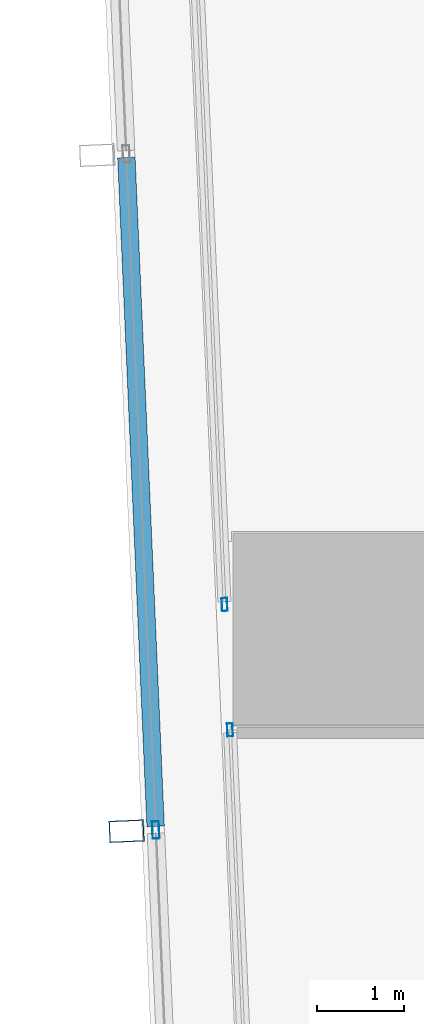
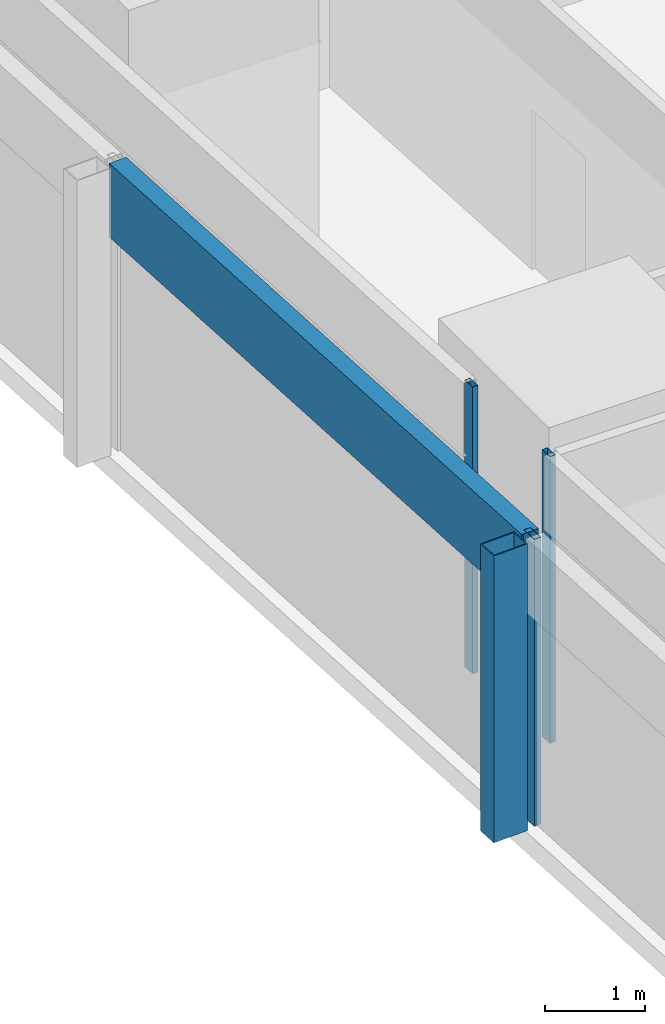
# One storey, part 4 of 42: 5 members, 3 elements without a shape of their own.
"""IFC4 building model written with IfcOpenShell, lengths in metres."""

from ifc_helpers import new_model, si_unit, direction, frame, origin, origin_2d, place, context, subcontext, project, spatial, hollow_rectangle, extrude, material, material_profile, profile_set, type_object, element, aggregate, save


model = new_model("IFC4")

# Units and contexts
model_context = context("Model", 3, precision=1e-05, world=origin(), true_north=direction((0.0, 1.0)))
body_context = subcontext(model_context, "Body", "Model", "MODEL_VIEW")
ifc_project = project(units=[si_unit("LENGTHUNIT", "METRE"), si_unit("AREAUNIT", "SQUARE_METRE"), si_unit("VOLUMEUNIT", "CUBIC_METRE"), si_unit("PLANEANGLEUNIT", "RADIAN"), si_unit("MASSUNIT", "GRAM", prefix="KILO")], contexts=[model_context])

# Site, building, storey
site_placement = place(None, origin())
site = spatial("IfcSite", under=ifc_project, at=site_placement, CompositionType="ELEMENT")
building_placement = place(site_placement, origin())
building = spatial("IfcBuilding", under=site, at=building_placement, Name="Rekha Terrace Tower", CompositionType="ELEMENT")
storey_placement = place(building_placement, frame((0.0, 0.0, 40.39990234375)))
storey = spatial("IfcBuildingStorey", under=building, at=storey_placement, Name="L09", CompositionType="ELEMENT", Elevation=40.39990234375)

# Curtain wall, member
ifc_material_1 = material(Name="Aluminium framing", Category="aluminium")
curtain_wall_type_1 = type_object("IfcCurtainWallType", Name="CW2 double skin outer glazing", PredefinedType="USERDEFINED", material=ifc_material_1)
curtain_wall_1_placement = place(storey_placement, origin())
curtain_wall_1 = element("IfcCurtainWall", 1, at=curtain_wall_1_placement, inside=storey, type_object=curtain_wall_type_1, Name="CW2 double skin outer glazing", ObjectType="DOUBLE SKIN OUTER GLAZING", PredefinedType="USERDEFINED")
ifc_material_2 = material(Name="Steel S355 with fluorocarbon finish", Category="steel")
ifc_material_profile_1 = material_profile(ifc_material_2, hollow_rectangle(XDim=0.25, YDim=0.39990234375, WallThickness=0.012451171875, at=origin_2d()), Name="RHS400x250x12.5")
ifc_profile_set_1 = profile_set([ifc_material_profile_1], Name="Steel S355 with fluorocarbon finish")
member_type_1 = type_object("IfcMemberType", Name="BL1 facade blade RHS 400 x 250", PredefinedType="USERDEFINED", material=ifc_profile_set_1)
member_1_placement = place(storey_placement, frame((6.080078125, 14.482421875, 0.0), z_axis=(0.0, 0.0, 1.0), x_axis=(0.04368215933, -0.999045478923, 0.0)))
member_1 = element("IfcMember", 2, at=member_1_placement, type_object=member_type_1, Name="Facade blade", ObjectType="FACADE BLADE", PredefinedType="USERDEFINED", context=body_context, shape_type="SweptSolid", body=[
    extrude(hollow_rectangle(XDim=0.25, YDim=0.39990234375, WallThickness=0.012451171875, at=origin_2d()), origin(), (0.0, 0.0, 1.0), 3.5),
])

curtain_wall_type_2 = type_object("IfcCurtainWallType", Name="CW1 double skin inner glazing", PredefinedType="USERDEFINED", material=ifc_material_1)
curtain_wall_2_placement = place(storey_placement, origin())
curtain_wall_2 = element("IfcCurtainWall", 3, at=curtain_wall_2_placement, inside=storey, type_object=curtain_wall_type_2, Name="CW1 double skin inner glazing", ObjectType="DOUBLE SKIN INNER GLAZING", PredefinedType="USERDEFINED")
ifc_material_3 = material(Name="Aluminium mullion section", Category="aluminium")
ifc_material_profile_2 = material_profile(ifc_material_3, hollow_rectangle(XDim=0.06494140625, YDim=0.14990234375, WallThickness=0.00390625, at=origin_2d()), Name="AL RHS 65x150")
ifc_profile_set_2 = profile_set([ifc_material_profile_2], Name="Aluminium mullion section")
member_type_2 = type_object("IfcMemberType", Name="CW1 mullion RHS 65 x 150", PredefinedType="MULLION", material=ifc_profile_set_2)
member_2_placement = place(storey_placement, frame((7.202880859375, 17.07958984375, 0.0), z_axis=(0.0, 0.0, 1.0), x_axis=(0.999045462133, 0.043682543337, 0.0)))
member_2 = element("IfcMember", 4, at=member_2_placement, type_object=member_type_2, Name="CW1 mullion 4", PredefinedType="MULLION", context=body_context, shape_type="SweptSolid", body=[
    extrude(hollow_rectangle(XDim=0.06494140625, YDim=0.14990234375, WallThickness=0.00390625, at=origin_2d()), origin(), (0.0, 0.0, 1.0), 3.5),
])
aggregate(curtain_wall_2, [member_2])

curtain_wall_3_placement = place(storey_placement, origin())
curtain_wall_3 = element("IfcCurtainWall", 5, at=curtain_wall_3_placement, inside=storey, type_object=curtain_wall_type_2, Name="CW1 double skin inner glazing", ObjectType="DOUBLE SKIN INNER GLAZING", PredefinedType="USERDEFINED")
member_3_placement = place(storey_placement, frame((7.265625, 15.643310546875, 0.0), z_axis=(0.0, 0.0, 1.0), x_axis=(0.999045462129, 0.043682543424, 0.0)))
member_3 = element("IfcMember", 6, at=member_3_placement, type_object=member_type_2, Name="CW1 mullion 1", PredefinedType="MULLION", context=body_context, shape_type="SweptSolid", body=[
    extrude(hollow_rectangle(XDim=0.06494140625, YDim=0.14990234375, WallThickness=0.00390625, at=origin_2d()), origin(), (0.0, 0.0, 1.0), 3.5),
])
aggregate(curtain_wall_3, [member_3])

# Member
ifc_material_profile_3 = material_profile(ifc_material_3, hollow_rectangle(XDim=0.080078125, YDim=0.199951171875, WallThickness=0.00390625, at=origin_2d()), Name="AL RHS 80x200")
ifc_profile_set_3 = profile_set([ifc_material_profile_3], Name="Aluminium mullion section")
member_type_3 = type_object("IfcMemberType", Name="CW2 mullion RHS 80 x 200", PredefinedType="MULLION", material=ifc_profile_set_3)
member_4_placement = place(storey_placement, frame((6.414794921875, 14.4970703125, 0.0), z_axis=(0.0, 0.0, 1.0), x_axis=(0.999045462131, 0.043682543372, 0.0)))
member_4 = element("IfcMember", 7, at=member_4_placement, type_object=member_type_3, Name="CW2 mullion 5", PredefinedType="MULLION", context=body_context, shape_type="SweptSolid", body=[
    extrude(hollow_rectangle(XDim=0.080078125, YDim=0.199951171875, WallThickness=0.00390625, at=origin_2d()), origin(), (0.0, 0.0, 1.0), 3.5),
])

ifc_material_4 = material(Name="Insulated aluminium spandrel box", Category="aluminium")
ifc_material_profile_4 = material_profile(ifc_material_4, hollow_rectangle(XDim=0.199951171875, YDim=0.89990234375, WallThickness=0.0029296875, at=origin_2d()), Name="AL SPANDREL BOX 200x900")
ifc_profile_set_4 = profile_set([ifc_material_profile_4], Name="Insulated aluminium spandrel box")
member_type_4 = type_object("IfcMemberType", Name="CW2 spandrel transom 200 x 900", PredefinedType="USERDEFINED", material=ifc_profile_set_4)
member_5_placement = place(storey_placement, frame((6.077880859375, 22.201416015625, 3.050048828125), z_axis=(0.043694095051, -0.999044956975, 0.0), x_axis=(0.999044956975, 0.043694095051, 0.0)))
member_5 = element("IfcMember", 8, at=member_5_placement, type_object=member_type_4, Name="CW2 spandrel transom 4", ObjectType="TRANSOM", PredefinedType="USERDEFINED", context=body_context, shape_type="SweptSolid", body=[
    extrude(hollow_rectangle(XDim=0.199951171875, YDim=0.89990234375, WallThickness=0.0029296875, at=origin_2d()), origin(), (0.0, 0.0, 1.0), 7.671630859375),
])

aggregate(curtain_wall_1, [member_4, member_5, member_1])

save(model, "model.ifc")
